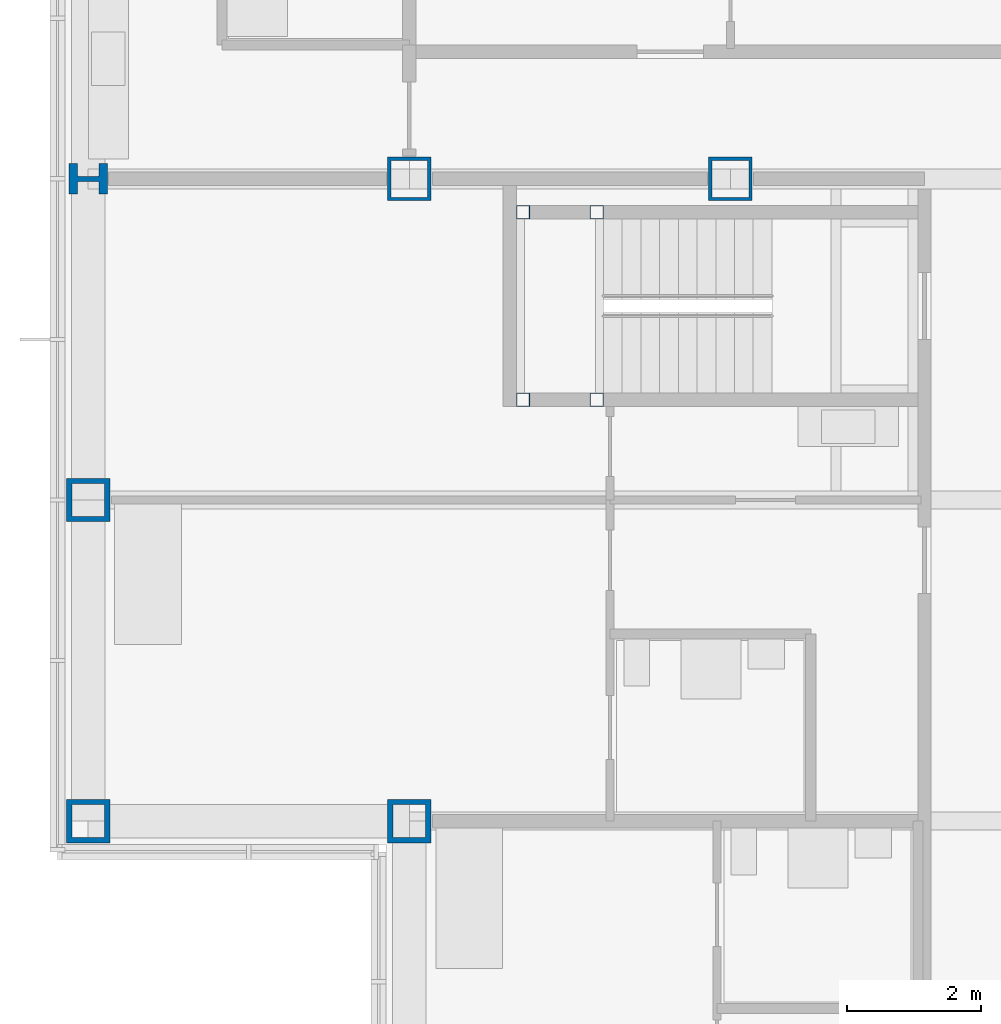
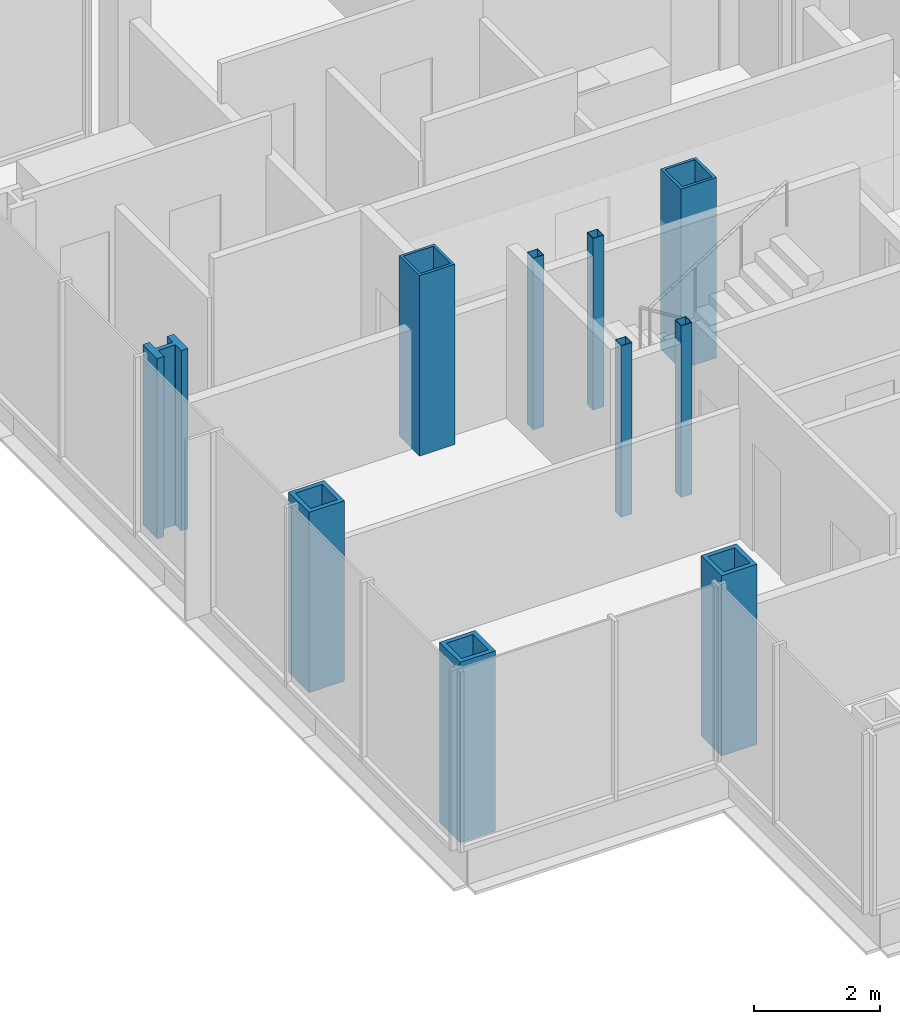
# One storey, part 3 of 20: 10 columns.
"""IFC4 building model written with IfcOpenShell, lengths in metres."""

from ifc_helpers import new_model, si_unit, direction, frame, origin, origin_2d, place, context, subcontext, project, spatial, hollow_rectangle, i_section, extrude, material, material_profile, profile_set, type_object, element, save


model = new_model("IFC4")

# Units and contexts
model_context = context("Model", 3, precision=1e-05, world=origin(), true_north=direction((0.0, 1.0)))
body_context = subcontext(model_context, "Body", "Model", "MODEL_VIEW")
ifc_project = project(units=[si_unit("LENGTHUNIT", "METRE"), si_unit("AREAUNIT", "SQUARE_METRE"), si_unit("VOLUMEUNIT", "CUBIC_METRE"), si_unit("PLANEANGLEUNIT", "RADIAN"), si_unit("MASSUNIT", "GRAM", prefix="KILO")], contexts=[model_context])

# Site, building, storey
site_placement = place(None, origin())
site = spatial("IfcSite", under=ifc_project, at=site_placement, CompositionType="ELEMENT")
building_placement = place(site_placement, origin())
building = spatial("IfcBuilding", under=site, at=building_placement, Name="Kvirike Care Tower", CompositionType="ELEMENT")
storey_placement = place(building_placement, frame((0.0, 0.0, 94.5)))
storey = spatial("IfcBuildingStorey", under=building, at=storey_placement, Name="L25", CompositionType="ELEMENT", Elevation=94.5)

# Columns
ifc_material_1 = material(Name="Steel S460", Category="steel")
ifc_material_profile_1 = material_profile(ifc_material_1, hollow_rectangle(XDim=0.64990234375, YDim=0.64990234375, WallThickness=0.050048828125, at=origin_2d()), Name="BX 650x650x50")
ifc_profile_set_1 = profile_set([ifc_material_profile_1], Name="Steel S460")
column_type_1 = type_object("IfcColumnType", Name="COLUMN BX 650x650x50", PredefinedType="COLUMN", material=ifc_profile_set_1)
for number, where, z_axis, x_axis, name in (
    (1, (4.800048828125, 43.199951171875, 0.0), (0.0, 0.0, 1.0), (0.0, 1.0, 0.0), "Column K4 L25"),
    (2, (9.60009765625, 43.199951171875, 0.0), (0.0, 0.0, 1.0), (0.0, 1.0, 0.0), "Column K5 L25"),
):
    element("IfcColumn", number, at=place(storey_placement, frame(where, z_axis=z_axis, x_axis=x_axis)), inside=storey, type_object=column_type_1, Name=name, PredefinedType="COLUMN", context=body_context, shape_type="SweptSolid", body=[
        extrude(hollow_rectangle(XDim=0.64990234375, YDim=0.64990234375, WallThickness=0.050048828125, at=origin_2d()), origin(), (0.0, 0.0, 1.0), 3.5),
    ])
ifc_material_2 = material(Name="Steel S460", Category="steel")
ifc_material_profile_2 = material_profile(ifc_material_2, hollow_rectangle(XDim=0.64990234375, YDim=0.64990234375, WallThickness=0.080078125, at=origin_2d()), Name="BX 650x650x80")
ifc_profile_set_2 = profile_set([ifc_material_profile_2], Name="Steel S460")
column_type_2 = type_object("IfcColumnType", Name="COLUMN BX 650x650x80", PredefinedType="COLUMN", material=ifc_profile_set_2)
for number, where, z_axis, x_axis, name in (
    (3, (0.0, 33.60009765625, 0.0), (0.0, 0.0, 1.0), (0.0, 1.0, 0.0), "Column H3 L25"),
    (4, (0.0, 38.39990234375, 0.0), (0.0, 0.0, 1.0), (1.0, 0.0, 0.0), "Column J3 L25"),
    (5, (4.800048828125, 33.60009765625, 0.0), (0.0, 0.0, 1.0), (0.0, 1.0, 0.0), "Column H4 L25"),
):
    element("IfcColumn", number, at=place(storey_placement, frame(where, z_axis=z_axis, x_axis=x_axis)), inside=storey, type_object=column_type_2, Name=name, PredefinedType="COLUMN", context=body_context, shape_type="SweptSolid", body=[
        extrude(hollow_rectangle(XDim=0.64990234375, YDim=0.64990234375, WallThickness=0.080078125, at=origin_2d()), origin(), (0.0, 0.0, 1.0), 3.5),
    ])
ifc_material_3 = material(Name="Steel S460", Category="steel")
ifc_material_profile_3 = material_profile(ifc_material_3, i_section(OverallWidth=0.4541015625, OverallDepth=0.569091796875, WebThickness=0.077880859375, FlangeThickness=0.125, FilletRadius=0.014892578125, at=origin_2d()), Name="HD 400x1086")
ifc_profile_set_3 = profile_set([ifc_material_profile_3], Name="Steel S460")
column_type_3 = type_object("IfcColumnType", Name="COLUMN HD 400x1086", PredefinedType="COLUMN", material=ifc_profile_set_3)
column_placement = place(storey_placement, frame((0.0, 43.199951171875, 0.0), z_axis=(0.0, 0.0, 1.0), x_axis=(0.0, 1.0, 0.0)))
element("IfcColumn", 6, at=column_placement, inside=storey, type_object=column_type_3, Name="Column K3 L25", PredefinedType="COLUMN", context=body_context, shape_type="SweptSolid", body=[
    extrude(i_section(OverallWidth=0.4541015625, OverallDepth=0.569091796875, WebThickness=0.077880859375, FlangeThickness=0.125, FilletRadius=0.014892578125, at=origin_2d()), origin(), (0.0, 0.0, 1.0), 3.5),
])
ifc_material_4 = material(Name="Steel S460", Category="steel")
ifc_material_profile_4 = material_profile(ifc_material_4, hollow_rectangle(XDim=0.199951171875, YDim=0.199951171875, WallThickness=0.008056640625, at=origin_2d()), Name="SHS 200x200x8")
ifc_profile_set_4 = profile_set([ifc_material_profile_4], Name="Steel S460")
column_type_4 = type_object("IfcColumnType", Name="STAIR POST SHS 200x200x8", PredefinedType="COLUMN", material=ifc_profile_set_4)
for number, where, z_axis, x_axis, name in (
    (7, (6.5, 42.699951171875, 0.0), (0.0, 0.0, 1.0), (1.0, 0.0, 0.0), "Stair 1 post 1 L25"),
    (8, (6.5, 39.89990234375, 0.0), (0.0, 0.0, 1.0), (1.0, 0.0, 0.0), "Stair 1 post 2 L25"),
    (9, (7.60009765625, 42.699951171875, 0.0), (0.0, 0.0, 1.0), (1.0, 0.0, 0.0), "Stair 1 post 3 L25"),
    (10, (7.60009765625, 39.89990234375, 0.0), (0.0, 0.0, 1.0), (1.0, 0.0, 0.0), "Stair 1 post 4 L25"),
):
    element("IfcColumn", number, at=place(storey_placement, frame(where, z_axis=z_axis, x_axis=x_axis)), inside=storey, type_object=column_type_4, Name=name, PredefinedType="COLUMN", context=body_context, shape_type="SweptSolid", body=[
        extrude(hollow_rectangle(XDim=0.199951171875, YDim=0.199951171875, WallThickness=0.008056640625, at=origin_2d()), origin(), (0.0, 0.0, 1.0), 3.330078125),
    ])

save(model, "model.ifc")
